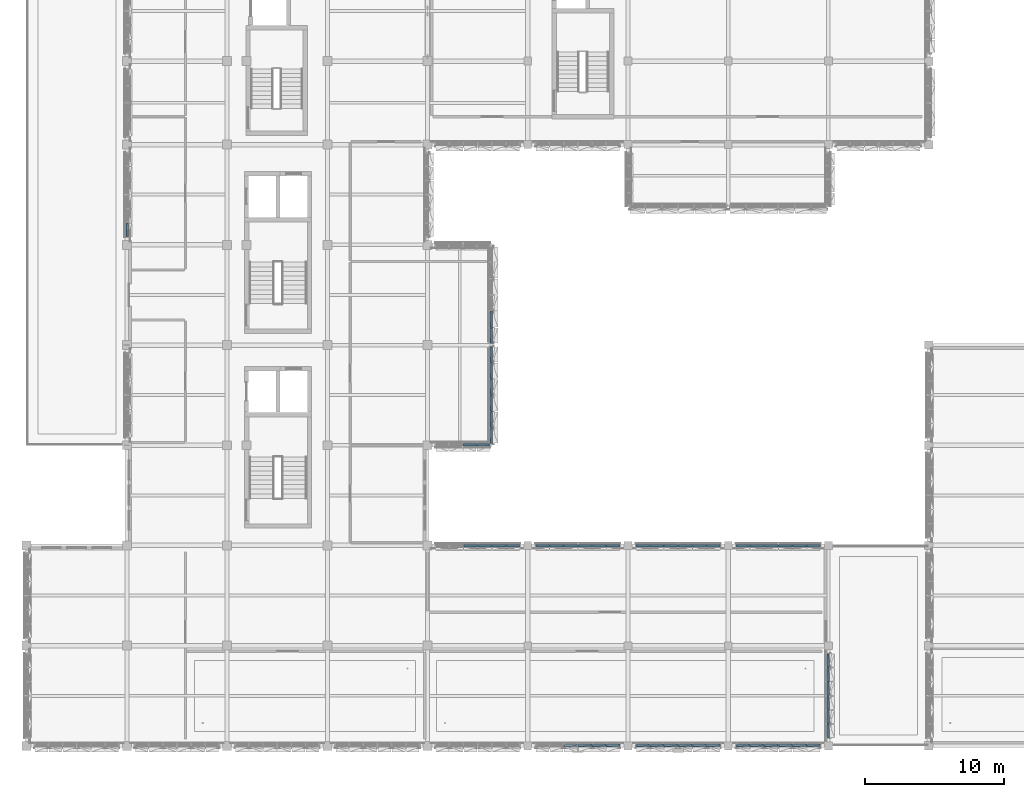
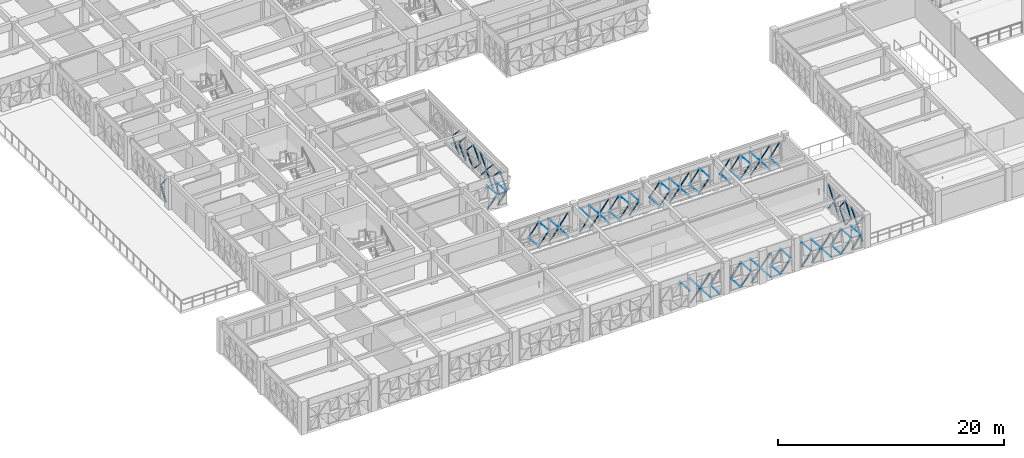
# One storey, part 51 of 85: 109 discrete accessories.
"""IFC4 building model written with IfcOpenShell, lengths in metres."""

from ifc_helpers import new_model, si_unit, direction, frame, origin, origin_2d, place, context, subcontext, project, spatial, rectangle, extrude, material, type_object, element, save


model = new_model("IFC4")

# Units and contexts
model_context = context("Model", 3, precision=1e-05, world=origin(), true_north=direction((0.0, 1.0)))
body_context = subcontext(model_context, "Body", "Model", "MODEL_VIEW")
ifc_project = project(units=[si_unit("LENGTHUNIT", "METRE"), si_unit("AREAUNIT", "SQUARE_METRE"), si_unit("VOLUMEUNIT", "CUBIC_METRE"), si_unit("PLANEANGLEUNIT", "RADIAN"), si_unit("MASSUNIT", "GRAM", prefix="KILO")], contexts=[model_context])

# Site, building, storey
site_placement = place(None, origin())
site = spatial("IfcSite", under=ifc_project, at=site_placement, CompositionType="ELEMENT")
building_placement = place(site_placement, origin())
building = spatial("IfcBuilding", under=site, at=building_placement, Name="Alvorim Cloister Faculty of Sciences", CompositionType="ELEMENT")
storey_placement = place(building_placement, frame((0.0, 0.0, 8.550048828125)))
storey = spatial("IfcBuildingStorey", under=building, at=storey_placement, Name="L02", CompositionType="ELEMENT", Elevation=8.550048828125)

# Discrete accessories
ifc_material = material(Name="Aluminium Alloy 6063-T6", Category="aluminium")
discrete_accessory_type = type_object("IfcDiscreteAccessoryType", Name="ACC-DIAG-BAR", PredefinedType="BRACKET", material=ifc_material)
for number, where, z_axis, x_axis, name in (
    (1, (7.222412109375, 36.60498046875, 0.139892578125), (0.006560793558, 0.604713142785, 0.796416330151), (-0.999941150118, 0.010848792579, 0.0), "Diagonal Cassette Glazing Bracket ACC-00500"),
    (2, (7.222412109375, 36.60498046875, 2.7099609375), (0.006560793558, 0.604713142785, -0.796416330151), (-0.999941150118, 0.010848792579, 0.0), "Diagonal Cassette Glazing Bracket ACC-00501"),
):
    element("IfcDiscreteAccessory", number, at=place(storey_placement, frame(where, z_axis=z_axis, x_axis=x_axis)), inside=storey, type_object=discrete_accessory_type, Name=name, PredefinedType="BRACKET", context=body_context, shape_type="SweptSolid", body=[
        extrude(rectangle(XDim=0.139892578125, YDim=0.044921875, at=origin_2d()), origin(), (0.0, 0.0, 1.0), 1.525634765625),
    ])
for number, where, z_axis, x_axis, name in (
    (3, (33.37744140625, 28.945068359375, 0.139892578125), (-0.006158308683, 0.661792879469, 0.749661430193), (-0.999956706716, -0.009305089645, 0.0), "Diagonal Cassette Glazing Bracket ACC-00740"),
    (4, (33.37744140625, 28.945068359375, 2.717041015625), (-0.006158308683, 0.661792879469, -0.749661430193), (-0.999956706716, -0.009305089645, 0.0), "Diagonal Cassette Glazing Bracket ACC-00741"),
):
    element("IfcDiscreteAccessory", number, at=place(storey_placement, frame(where, z_axis=z_axis, x_axis=x_axis)), inside=storey, type_object=discrete_accessory_type, Name=name, PredefinedType="BRACKET", context=body_context, shape_type="SweptSolid", body=[
        extrude(rectangle(XDim=0.139892578125, YDim=0.044921875, at=origin_2d()), origin(), (0.0, 0.0, 1.0), 1.62548828125),
    ])
for number, where, z_axis, x_axis, name in (
    (5, (33.37744140625, 30.0859375, 0.139892578125), (-0.006077290604, 0.67280053784, 0.739798961084), (-0.999959206518, -0.009032458133, 0.0), "Diagonal Cassette Glazing Bracket ACC-00742"),
    (6, (33.37744140625, 30.0859375, 2.717041015625), (-0.006077290604, 0.67280053784, -0.739798961084), (-0.999959206518, -0.009032458133, 0.0), "Diagonal Cassette Glazing Bracket ACC-00743"),
):
    element("IfcDiscreteAccessory", number, at=place(storey_placement, frame(where, z_axis=z_axis, x_axis=x_axis)), inside=storey, type_object=discrete_accessory_type, Name=name, PredefinedType="BRACKET", context=body_context, shape_type="SweptSolid", body=[
        extrude(rectangle(XDim=0.139892578125, YDim=0.044921875, at=origin_2d()), origin(), (0.0, 0.0, 1.0), 1.64697265625),
    ])
for number, where, z_axis, x_axis, name in (
    (7, (33.37744140625, 21.7451171875, 1.3583984375), (-0.006158308683, 0.661792879469, -0.749661430193), (-0.999956706716, -0.009305089645, 0.0), "Diagonal Cassette Glazing Bracket ACC-00753"),
    (8, (33.37744140625, 21.7451171875, 1.49853515625), (-0.006158308683, 0.661792879469, 0.749661430193), (-0.999956706716, -0.009305089645, 0.0), "Diagonal Cassette Glazing Bracket ACC-00754"),
):
    element("IfcDiscreteAccessory", number, at=place(storey_placement, frame(where, z_axis=z_axis, x_axis=x_axis)), inside=storey, type_object=discrete_accessory_type, Name=name, PredefinedType="BRACKET", context=body_context, shape_type="SweptSolid", body=[
        extrude(rectangle(XDim=0.139892578125, YDim=0.044921875, at=origin_2d()), origin(), (0.0, 0.0, 1.0), 1.62548828125),
    ])
for number, where, z_axis, x_axis, name in (
    (9, (33.37744140625, 22.8857421875, 0.139892578125), (-0.006076684558, 0.672881655969, 0.73972518611), (-0.999959224486, -0.009030468767, 0.0), "Diagonal Cassette Glazing Bracket ACC-00755"),
    (10, (33.37744140625, 22.8857421875, 2.717041015625), (-0.006076684558, 0.672881655969, -0.73972518611), (-0.999959224486, -0.009030468767, 0.0), "Diagonal Cassette Glazing Bracket ACC-00756"),
    (11, (33.37744140625, 24.05908203125, 0.139892578125), (-0.006076684558, 0.672881655969, 0.73972518611), (-0.999959224486, -0.009030468767, 0.0), "Diagonal Cassette Glazing Bracket ACC-00757"),
    (12, (33.37744140625, 24.05908203125, 2.717041015625), (-0.006076684558, 0.672881655969, -0.73972518611), (-0.999959224486, -0.009030468767, 0.0), "Diagonal Cassette Glazing Bracket ACC-00758"),
    (13, (33.37744140625, 25.232421875, 1.3583984375), (-0.006076684558, 0.672881655969, -0.73972518611), (-0.999959224486, -0.009030468767, 0.0), "Diagonal Cassette Glazing Bracket ACC-00759"),
    (14, (33.37744140625, 25.232421875, 1.49853515625), (-0.006076684558, 0.672881655969, 0.73972518611), (-0.999959224486, -0.009030468767, 0.0), "Diagonal Cassette Glazing Bracket ACC-00760"),
    (15, (33.37744140625, 26.40576171875, 1.3583984375), (-0.006076684558, 0.672881655969, -0.73972518611), (-0.999959224486, -0.009030468767, 0.0), "Diagonal Cassette Glazing Bracket ACC-00761"),
    (16, (33.37744140625, 26.40576171875, 1.49853515625), (-0.006076684558, 0.672881655969, 0.73972518611), (-0.999959224486, -0.009030468767, 0.0), "Diagonal Cassette Glazing Bracket ACC-00762"),
):
    element("IfcDiscreteAccessory", number, at=place(storey_placement, frame(where, z_axis=z_axis, x_axis=x_axis)), inside=storey, type_object=discrete_accessory_type, Name=name, PredefinedType="BRACKET", context=body_context, shape_type="SweptSolid", body=[
        extrude(rectangle(XDim=0.139892578125, YDim=0.044921875, at=origin_2d()), origin(), (0.0, 0.0, 1.0), 1.647216796875),
    ])
for number, where, z_axis, x_axis, name in (
    (17, (33.37744140625, 27.5791015625, 0.139892578125), (-0.00615769655, 0.661877285306, 0.749586914219), (-0.99995672636, -0.009302978394, 0.0), "Diagonal Cassette Glazing Bracket ACC-00763"),
    (18, (33.37744140625, 27.5791015625, 2.717041015625), (-0.00615769655, 0.661877285306, -0.749586914219), (-0.99995672636, -0.009302978394, 0.0), "Diagonal Cassette Glazing Bracket ACC-00764"),
):
    element("IfcDiscreteAccessory", number, at=place(storey_placement, frame(where, z_axis=z_axis, x_axis=x_axis)), inside=storey, type_object=discrete_accessory_type, Name=name, PredefinedType="BRACKET", context=body_context, shape_type="SweptSolid", body=[
        extrude(rectangle(XDim=0.139892578125, YDim=0.044921875, at=origin_2d()), origin(), (0.0, 0.0, 1.0), 1.62548828125),
    ])
for number, where, z_axis, x_axis, name in (
    (19, (31.362548828125, 21.62255859375, 0.139892578125), (0.631064458964, 0.006792765245, 0.775700655519), (-0.010763356526, 0.9999420734, 0.0), "Diagonal Cassette Glazing Bracket ACC-00770"),
    (20, (31.362548828125, 21.62255859375, 2.56591796875), (0.631064458964, 0.006792765245, -0.775700655519), (-0.010763356526, 0.9999420734, 0.0), "Diagonal Cassette Glazing Bracket ACC-00771"),
):
    element("IfcDiscreteAccessory", number, at=place(storey_placement, frame(where, z_axis=z_axis, x_axis=x_axis)), inside=storey, type_object=discrete_accessory_type, Name=name, PredefinedType="BRACKET", context=body_context, shape_type="SweptSolid", body=[
        extrude(rectangle(XDim=0.139892578125, YDim=0.044921875, at=origin_2d()), origin(), (0.0, 0.0, 1.0), 1.4736328125),
    ])
for number, where, z_axis, x_axis, name in (
    (21, (32.357421875, 21.62255859375, 0.139892578125), (0.617524934404, 0.006887519671, 0.78652114877), (-0.011152733966, 0.999937806329, 0.0), "Diagonal Cassette Glazing Bracket ACC-00772"),
    (22, (32.357421875, 21.62255859375, 2.56591796875), (0.617524934404, 0.006887519671, -0.78652114877), (-0.011152733966, 0.999937806329, 0.0), "Diagonal Cassette Glazing Bracket ACC-00773"),
):
    element("IfcDiscreteAccessory", number, at=place(storey_placement, frame(where, z_axis=z_axis, x_axis=x_axis)), inside=storey, type_object=discrete_accessory_type, Name=name, PredefinedType="BRACKET", context=body_context, shape_type="SweptSolid", body=[
        extrude(rectangle(XDim=0.139892578125, YDim=0.044921875, at=origin_2d()), origin(), (0.0, 0.0, 1.0), 1.453369140625),
    ])
for number, where, z_axis, x_axis, name in (
    (23, (31.41259765625, 14.37744140625, 1.35498046875), (0.61785742976, -0.006477155362, -0.786263469168), (0.010482676365, 0.999945055239, 0.0), "Diagonal Cassette Glazing Bracket ACC-00779"),
    (24, (31.41259765625, 14.37744140625, 1.494873046875), (0.61785742976, -0.006477155362, 0.786263469168), (0.010482676365, 0.999945055239, 0.0), "Diagonal Cassette Glazing Bracket ACC-00780"),
    (25, (32.4326171875, 14.37744140625, 0.139892578125), (0.61785742976, -0.006477155362, 0.786263469168), (0.010482676365, 0.999945055239, 0.0), "Diagonal Cassette Glazing Bracket ACC-00781"),
    (26, (32.4326171875, 14.37744140625, 2.7099609375), (0.61785742976, -0.006477155362, -0.786263469168), (0.010482676365, 0.999945055239, 0.0), "Diagonal Cassette Glazing Bracket ACC-00782"),
):
    element("IfcDiscreteAccessory", number, at=place(storey_placement, frame(where, z_axis=z_axis, x_axis=x_axis)), inside=storey, type_object=discrete_accessory_type, Name=name, PredefinedType="BRACKET", context=body_context, shape_type="SweptSolid", body=[
        extrude(rectangle(XDim=0.139892578125, YDim=0.044921875, at=origin_2d()), origin(), (0.0, 0.0, 1.0), 1.54541015625),
    ])
for number, where, z_axis, x_axis, name in (
    (27, (33.452392578125, 14.37744140625, 0.139892578125), (0.617955086572, -0.006476523147, 0.786186724404), (0.010479997039, 0.999945083323, 0.0), "Diagonal Cassette Glazing Bracket ACC-00783"),
    (28, (33.452392578125, 14.37744140625, 2.7099609375), (0.617955086572, -0.006476523147, -0.786186724404), (0.010479997039, 0.999945083323, 0.0), "Diagonal Cassette Glazing Bracket ACC-00784"),
):
    element("IfcDiscreteAccessory", number, at=place(storey_placement, frame(where, z_axis=z_axis, x_axis=x_axis)), inside=storey, type_object=discrete_accessory_type, Name=name, PredefinedType="BRACKET", context=body_context, shape_type="SweptSolid", body=[
        extrude(rectangle(XDim=0.139892578125, YDim=0.044921875, at=origin_2d()), origin(), (0.0, 0.0, 1.0), 1.545654296875),
    ])
for number, where, z_axis, x_axis, name in (
    (29, (34.472412109375, 14.37744140625, 1.35498046875), (0.604713142785, -0.006560793558, -0.796416330151), (0.010848792579, 0.999941150118, 0.0), "Diagonal Cassette Glazing Bracket ACC-00785"),
    (30, (34.472412109375, 14.37744140625, 1.494873046875), (0.604713142785, -0.006560793558, 0.796416330151), (0.010848792579, 0.999941150118, 0.0), "Diagonal Cassette Glazing Bracket ACC-00786"),
    (31, (36.60498046875, 14.37744140625, 0.139892578125), (0.604713142785, -0.006560793558, 0.796416330151), (0.010848792579, 0.999941150118, 0.0), "Diagonal Cassette Glazing Bracket ACC-00788"),
    (32, (36.60498046875, 14.37744140625, 2.7099609375), (0.604713142785, -0.006560793558, -0.796416330151), (0.010848792579, 0.999941150118, 0.0), "Diagonal Cassette Glazing Bracket ACC-00789"),
):
    element("IfcDiscreteAccessory", number, at=place(storey_placement, frame(where, z_axis=z_axis, x_axis=x_axis)), inside=storey, type_object=discrete_accessory_type, Name=name, PredefinedType="BRACKET", context=body_context, shape_type="SweptSolid", body=[
        extrude(rectangle(XDim=0.139892578125, YDim=0.044921875, at=origin_2d()), origin(), (0.0, 0.0, 1.0), 1.525634765625),
    ])
for number, where, z_axis, x_axis, name in (
    (33, (37.592529296875, 14.37744140625, 0.139892578125), (0.617955086572, -0.006476523147, 0.786186724404), (0.010479997039, 0.999945083323, 0.0), "Diagonal Cassette Glazing Bracket ACC-00790"),
    (34, (37.592529296875, 14.37744140625, 2.7099609375), (0.617955086572, -0.006476523147, -0.786186724404), (0.010479997039, 0.999945083323, 0.0), "Diagonal Cassette Glazing Bracket ACC-00791"),
):
    element("IfcDiscreteAccessory", number, at=place(storey_placement, frame(where, z_axis=z_axis, x_axis=x_axis)), inside=storey, type_object=discrete_accessory_type, Name=name, PredefinedType="BRACKET", context=body_context, shape_type="SweptSolid", body=[
        extrude(rectangle(XDim=0.139892578125, YDim=0.044921875, at=origin_2d()), origin(), (0.0, 0.0, 1.0), 1.545654296875),
    ])
for number, where, z_axis, x_axis, name in (
    (35, (38.612548828125, 14.37744140625, 1.35498046875), (0.61785742976, -0.006477155362, -0.786263469168), (0.010482676365, 0.999945055239, 0.0), "Diagonal Cassette Glazing Bracket ACC-00792"),
    (36, (38.612548828125, 14.37744140625, 1.494873046875), (0.61785742976, -0.006477155362, 0.786263469168), (0.010482676365, 0.999945055239, 0.0), "Diagonal Cassette Glazing Bracket ACC-00793"),
    (37, (39.632568359375, 14.37744140625, 1.35498046875), (0.61785742976, -0.006477155362, -0.786263469168), (0.010482676365, 0.999945055239, 0.0), "Diagonal Cassette Glazing Bracket ACC-00794"),
    (38, (39.632568359375, 14.37744140625, 1.494873046875), (0.61785742976, -0.006477155362, 0.786263469168), (0.010482676365, 0.999945055239, 0.0), "Diagonal Cassette Glazing Bracket ACC-00795"),
    (39, (40.652587890625, 14.37744140625, 0.139892578125), (0.61785742976, -0.006477155362, 0.786263469168), (0.010482676365, 0.999945055239, 0.0), "Diagonal Cassette Glazing Bracket ACC-00796"),
    (40, (40.652587890625, 14.37744140625, 2.7099609375), (0.61785742976, -0.006477155362, -0.786263469168), (0.010482676365, 0.999945055239, 0.0), "Diagonal Cassette Glazing Bracket ACC-00797"),
):
    element("IfcDiscreteAccessory", number, at=place(storey_placement, frame(where, z_axis=z_axis, x_axis=x_axis)), inside=storey, type_object=discrete_accessory_type, Name=name, PredefinedType="BRACKET", context=body_context, shape_type="SweptSolid", body=[
        extrude(rectangle(XDim=0.139892578125, YDim=0.044921875, at=origin_2d()), origin(), (0.0, 0.0, 1.0), 1.54541015625),
    ])
for number, where, z_axis, x_axis, name in (
    (41, (41.672607421875, 14.37744140625, 0.139892578125), (0.604611624251, -0.006561428426, 0.796493397008), (0.010851663811, 0.999941118963, 0.0), "Diagonal Cassette Glazing Bracket ACC-00798"),
    (42, (41.672607421875, 14.37744140625, 2.7099609375), (0.604611624251, -0.006561428426, -0.796493397008), (0.010851663811, 0.999941118963, 0.0), "Diagonal Cassette Glazing Bracket ACC-00799"),
    (43, (43.804931640625, 14.37744140625, 1.35498046875), (0.604713142785, -0.006560793558, -0.796416330151), (0.010848792579, 0.999941150118, 0.0), "Diagonal Cassette Glazing Bracket ACC-00801"),
    (44, (43.804931640625, 14.37744140625, 1.494873046875), (0.604713142785, -0.006560793558, 0.796416330151), (0.010848792579, 0.999941150118, 0.0), "Diagonal Cassette Glazing Bracket ACC-00802"),
):
    element("IfcDiscreteAccessory", number, at=place(storey_placement, frame(where, z_axis=z_axis, x_axis=x_axis)), inside=storey, type_object=discrete_accessory_type, Name=name, PredefinedType="BRACKET", context=body_context, shape_type="SweptSolid", body=[
        extrude(rectangle(XDim=0.139892578125, YDim=0.044921875, at=origin_2d()), origin(), (0.0, 0.0, 1.0), 1.525634765625),
    ])
for number, where, z_axis, x_axis, name in (
    (45, (44.79248046875, 14.37744140625, 0.139892578125), (0.617955086572, -0.006476523147, 0.786186724404), (0.010479997039, 0.999945083323, 0.0), "Diagonal Cassette Glazing Bracket ACC-00803"),
    (46, (44.79248046875, 14.37744140625, 2.7099609375), (0.617955086572, -0.006476523147, -0.786186724404), (0.010479997039, 0.999945083323, 0.0), "Diagonal Cassette Glazing Bracket ACC-00804"),
    (47, (45.8125, 14.37744140625, 0.139892578125), (0.617955086572, -0.006476523147, 0.786186724404), (0.010479997039, 0.999945083323, 0.0), "Diagonal Cassette Glazing Bracket ACC-00805"),
    (48, (45.8125, 14.37744140625, 2.7099609375), (0.617955086572, -0.006476523147, -0.786186724404), (0.010479997039, 0.999945083323, 0.0), "Diagonal Cassette Glazing Bracket ACC-00806"),
    (49, (46.83251953125, 14.37744140625, 1.35498046875), (0.617955086572, -0.006476523147, -0.786186724404), (0.010479997039, 0.999945083323, 0.0), "Diagonal Cassette Glazing Bracket ACC-00807"),
    (50, (46.83251953125, 14.37744140625, 1.494873046875), (0.617955086572, -0.006476523147, 0.786186724404), (0.010479997039, 0.999945083323, 0.0), "Diagonal Cassette Glazing Bracket ACC-00808"),
    (51, (47.8525390625, 14.37744140625, 1.35498046875), (0.617955086572, -0.006476523147, -0.786186724404), (0.010479997039, 0.999945083323, 0.0), "Diagonal Cassette Glazing Bracket ACC-00809"),
    (52, (47.8525390625, 14.37744140625, 1.494873046875), (0.617955086572, -0.006476523147, 0.786186724404), (0.010479997039, 0.999945083323, 0.0), "Diagonal Cassette Glazing Bracket ACC-00810"),
):
    element("IfcDiscreteAccessory", number, at=place(storey_placement, frame(where, z_axis=z_axis, x_axis=x_axis)), inside=storey, type_object=discrete_accessory_type, Name=name, PredefinedType="BRACKET", context=body_context, shape_type="SweptSolid", body=[
        extrude(rectangle(XDim=0.139892578125, YDim=0.044921875, at=origin_2d()), origin(), (0.0, 0.0, 1.0), 1.545654296875),
    ])
for number, where, z_axis, x_axis, name in (
    (53, (48.87255859375, 14.37744140625, 0.139892578125), (0.604611624251, -0.006561428426, 0.796493397008), (0.010851663811, 0.999941118963, 0.0), "Diagonal Cassette Glazing Bracket ACC-00811"),
    (54, (48.87255859375, 14.37744140625, 2.7099609375), (0.604611624251, -0.006561428426, -0.796493397008), (0.010851663811, 0.999941118963, 0.0), "Diagonal Cassette Glazing Bracket ACC-00812"),
    (55, (51.0048828125, 14.37744140625, 1.35498046875), (0.604713142785, -0.006560793558, -0.796416330151), (0.010848792579, 0.999941150118, 0.0), "Diagonal Cassette Glazing Bracket ACC-00814"),
    (56, (51.0048828125, 14.37744140625, 1.494873046875), (0.604713142785, -0.006560793558, 0.796416330151), (0.010848792579, 0.999941150118, 0.0), "Diagonal Cassette Glazing Bracket ACC-00815"),
):
    element("IfcDiscreteAccessory", number, at=place(storey_placement, frame(where, z_axis=z_axis, x_axis=x_axis)), inside=storey, type_object=discrete_accessory_type, Name=name, PredefinedType="BRACKET", context=body_context, shape_type="SweptSolid", body=[
        extrude(rectangle(XDim=0.139892578125, YDim=0.044921875, at=origin_2d()), origin(), (0.0, 0.0, 1.0), 1.525634765625),
    ])
for number, where, z_axis, x_axis, name in (
    (57, (51.992431640625, 14.37744140625, 1.35498046875), (0.617955086572, -0.006476523147, -0.786186724404), (0.010479997039, 0.999945083323, 0.0), "Diagonal Cassette Glazing Bracket ACC-00816"),
    (58, (51.992431640625, 14.37744140625, 1.494873046875), (0.617955086572, -0.006476523147, 0.786186724404), (0.010479997039, 0.999945083323, 0.0), "Diagonal Cassette Glazing Bracket ACC-00817"),
    (59, (53.012451171875, 14.37744140625, 0.139892578125), (0.617955086572, -0.006476523147, 0.786186724404), (0.010479997039, 0.999945083323, 0.0), "Diagonal Cassette Glazing Bracket ACC-00818"),
    (60, (53.012451171875, 14.37744140625, 2.7099609375), (0.617955086572, -0.006476523147, -0.786186724404), (0.010479997039, 0.999945083323, 0.0), "Diagonal Cassette Glazing Bracket ACC-00819"),
    (61, (54.032470703125, 14.37744140625, 0.139892578125), (0.617955086572, -0.006476523147, 0.786186724404), (0.010479997039, 0.999945083323, 0.0), "Diagonal Cassette Glazing Bracket ACC-00820"),
    (62, (54.032470703125, 14.37744140625, 2.7099609375), (0.617955086572, -0.006476523147, -0.786186724404), (0.010479997039, 0.999945083323, 0.0), "Diagonal Cassette Glazing Bracket ACC-00821"),
    (63, (55.052490234375, 14.37744140625, 1.35498046875), (0.617955086572, -0.006476523147, -0.786186724404), (0.010479997039, 0.999945083323, 0.0), "Diagonal Cassette Glazing Bracket ACC-00822"),
    (64, (55.052490234375, 14.37744140625, 1.494873046875), (0.617955086572, -0.006476523147, 0.786186724404), (0.010479997039, 0.999945083323, 0.0), "Diagonal Cassette Glazing Bracket ACC-00823"),
):
    element("IfcDiscreteAccessory", number, at=place(storey_placement, frame(where, z_axis=z_axis, x_axis=x_axis)), inside=storey, type_object=discrete_accessory_type, Name=name, PredefinedType="BRACKET", context=body_context, shape_type="SweptSolid", body=[
        extrude(rectangle(XDim=0.139892578125, YDim=0.044921875, at=origin_2d()), origin(), (0.0, 0.0, 1.0), 1.545654296875),
    ])
for number, where, z_axis, x_axis, name in (
    (65, (56.072509765625, 14.37744140625, 1.35498046875), (0.604713142785, -0.006560793558, -0.796416330151), (0.010848792579, 0.999941150118, 0.0), "Diagonal Cassette Glazing Bracket ACC-00824"),
    (66, (56.072509765625, 14.37744140625, 1.494873046875), (0.604713142785, -0.006560793558, 0.796416330151), (0.010848792579, 0.999941150118, 0.0), "Diagonal Cassette Glazing Bracket ACC-00825"),
    (67, (57.577392578125, 0.60498046875, 0.139892578125), (-0.006560793558, 0.604713142785, 0.796416330151), (-0.999941150118, -0.010848792579, 0.0), "Diagonal Cassette Glazing Bracket ACC-00827"),
    (68, (57.577392578125, 0.60498046875, 2.7099609375), (-0.006560793558, 0.604713142785, -0.796416330151), (-0.999941150118, -0.010848792579, 0.0), "Diagonal Cassette Glazing Bracket ACC-00828"),
):
    element("IfcDiscreteAccessory", number, at=place(storey_placement, frame(where, z_axis=z_axis, x_axis=x_axis)), inside=storey, type_object=discrete_accessory_type, Name=name, PredefinedType="BRACKET", context=body_context, shape_type="SweptSolid", body=[
        extrude(rectangle(XDim=0.139892578125, YDim=0.044921875, at=origin_2d()), origin(), (0.0, 0.0, 1.0), 1.525634765625),
    ])
for number, where, z_axis, x_axis, name in (
    (69, (57.577392578125, 1.592529296875, 1.35498046875), (-0.006476523147, 0.617955086572, -0.786186724404), (-0.999945083323, -0.010479997039, 0.0), "Diagonal Cassette Glazing Bracket ACC-00829"),
    (70, (57.577392578125, 1.592529296875, 1.494873046875), (-0.006476523147, 0.617955086572, 0.786186724404), (-0.999945083323, -0.010479997039, 0.0), "Diagonal Cassette Glazing Bracket ACC-00830"),
):
    element("IfcDiscreteAccessory", number, at=place(storey_placement, frame(where, z_axis=z_axis, x_axis=x_axis)), inside=storey, type_object=discrete_accessory_type, Name=name, PredefinedType="BRACKET", context=body_context, shape_type="SweptSolid", body=[
        extrude(rectangle(XDim=0.139892578125, YDim=0.044921875, at=origin_2d()), origin(), (0.0, 0.0, 1.0), 1.545654296875),
    ])
for number, where, z_axis, x_axis, name in (
    (71, (57.577392578125, 2.612548828125, 1.35498046875), (-0.006477155362, 0.61785742976, -0.786263469168), (-0.999945055239, -0.010482676365, 0.0), "Diagonal Cassette Glazing Bracket ACC-00831"),
    (72, (57.577392578125, 2.612548828125, 1.494873046875), (-0.006477155362, 0.61785742976, 0.786263469168), (-0.999945055239, -0.010482676365, 0.0), "Diagonal Cassette Glazing Bracket ACC-00832"),
    (73, (57.577392578125, 3.632568359375, 0.139892578125), (-0.006477155362, 0.61785742976, 0.786263469168), (-0.999945055239, -0.010482676365, 0.0), "Diagonal Cassette Glazing Bracket ACC-00833"),
    (74, (57.577392578125, 3.632568359375, 2.7099609375), (-0.006477155362, 0.61785742976, -0.786263469168), (-0.999945055239, -0.010482676365, 0.0), "Diagonal Cassette Glazing Bracket ACC-00834"),
    (75, (57.577392578125, 4.652587890625, 0.139892578125), (-0.006477155362, 0.61785742976, 0.786263469168), (-0.999945055239, -0.010482676365, 0.0), "Diagonal Cassette Glazing Bracket ACC-00835"),
    (76, (57.577392578125, 4.652587890625, 2.7099609375), (-0.006477155362, 0.61785742976, -0.786263469168), (-0.999945055239, -0.010482676365, 0.0), "Diagonal Cassette Glazing Bracket ACC-00836"),
):
    element("IfcDiscreteAccessory", number, at=place(storey_placement, frame(where, z_axis=z_axis, x_axis=x_axis)), inside=storey, type_object=discrete_accessory_type, Name=name, PredefinedType="BRACKET", context=body_context, shape_type="SweptSolid", body=[
        extrude(rectangle(XDim=0.139892578125, YDim=0.044921875, at=origin_2d()), origin(), (0.0, 0.0, 1.0), 1.54541015625),
    ])
for number, where, z_axis, x_axis, name in (
    (77, (57.577392578125, 5.672607421875, 1.35498046875), (-0.006561428426, 0.604611624251, -0.796493397008), (-0.999941118963, -0.010851663811, 0.0), "Diagonal Cassette Glazing Bracket ACC-00837"),
    (78, (57.577392578125, 5.672607421875, 1.494873046875), (-0.006561428426, 0.604611624251, 0.796493397008), (-0.999941118963, -0.010851663811, 0.0), "Diagonal Cassette Glazing Bracket ACC-00838"),
    (79, (51.0048828125, 0.0224609375, 0.139892578125), (0.604713142785, 0.006560793558, 0.796416330151), (-0.010848792579, 0.999941150118, 0.0), "Diagonal Cassette Glazing Bracket ACC-00840"),
    (80, (51.0048828125, 0.0224609375, 2.7099609375), (0.604713142785, 0.006560793558, -0.796416330151), (-0.010848792579, 0.999941150118, 0.0), "Diagonal Cassette Glazing Bracket ACC-00841"),
):
    element("IfcDiscreteAccessory", number, at=place(storey_placement, frame(where, z_axis=z_axis, x_axis=x_axis)), inside=storey, type_object=discrete_accessory_type, Name=name, PredefinedType="BRACKET", context=body_context, shape_type="SweptSolid", body=[
        extrude(rectangle(XDim=0.139892578125, YDim=0.044921875, at=origin_2d()), origin(), (0.0, 0.0, 1.0), 1.525634765625),
    ])
for number, where, z_axis, x_axis, name in (
    (81, (51.992431640625, 0.0224609375, 0.139892578125), (0.617955086572, 0.006476523147, 0.786186724404), (-0.010479997039, 0.999945083323, 0.0), "Diagonal Cassette Glazing Bracket ACC-00842"),
    (82, (51.992431640625, 0.0224609375, 2.7099609375), (0.617955086572, 0.006476523147, -0.786186724404), (-0.010479997039, 0.999945083323, 0.0), "Diagonal Cassette Glazing Bracket ACC-00843"),
    (83, (53.012451171875, 0.0224609375, 1.35498046875), (0.617955086572, 0.006476523147, -0.786186724404), (-0.010479997039, 0.999945083323, 0.0), "Diagonal Cassette Glazing Bracket ACC-00844"),
    (84, (53.012451171875, 0.0224609375, 1.494873046875), (0.617955086572, 0.006476523147, 0.786186724404), (-0.010479997039, 0.999945083323, 0.0), "Diagonal Cassette Glazing Bracket ACC-00845"),
    (85, (54.032470703125, 0.0224609375, 1.35498046875), (0.617955086572, 0.006476523147, -0.786186724404), (-0.010479997039, 0.999945083323, 0.0), "Diagonal Cassette Glazing Bracket ACC-00846"),
    (86, (54.032470703125, 0.0224609375, 1.494873046875), (0.617955086572, 0.006476523147, 0.786186724404), (-0.010479997039, 0.999945083323, 0.0), "Diagonal Cassette Glazing Bracket ACC-00847"),
    (87, (55.052490234375, 0.0224609375, 0.139892578125), (0.617955086572, 0.006476523147, 0.786186724404), (-0.010479997039, 0.999945083323, 0.0), "Diagonal Cassette Glazing Bracket ACC-00848"),
    (88, (55.052490234375, 0.0224609375, 2.7099609375), (0.617955086572, 0.006476523147, -0.786186724404), (-0.010479997039, 0.999945083323, 0.0), "Diagonal Cassette Glazing Bracket ACC-00849"),
):
    element("IfcDiscreteAccessory", number, at=place(storey_placement, frame(where, z_axis=z_axis, x_axis=x_axis)), inside=storey, type_object=discrete_accessory_type, Name=name, PredefinedType="BRACKET", context=body_context, shape_type="SweptSolid", body=[
        extrude(rectangle(XDim=0.139892578125, YDim=0.044921875, at=origin_2d()), origin(), (0.0, 0.0, 1.0), 1.545654296875),
    ])
for number, where, z_axis, x_axis, name in (
    (89, (56.072509765625, 0.0224609375, 0.139892578125), (0.604713142785, 0.006560793558, 0.796416330151), (-0.010848792579, 0.999941150118, 0.0), "Diagonal Cassette Glazing Bracket ACC-00850"),
    (90, (56.072509765625, 0.0224609375, 2.7099609375), (0.604713142785, 0.006560793558, -0.796416330151), (-0.010848792579, 0.999941150118, 0.0), "Diagonal Cassette Glazing Bracket ACC-00851"),
    (91, (43.804931640625, 0.0224609375, 1.35498046875), (0.604713142785, 0.006560793558, -0.796416330151), (-0.010848792579, 0.999941150118, 0.0), "Diagonal Cassette Glazing Bracket ACC-00853"),
    (92, (43.804931640625, 0.0224609375, 1.494873046875), (0.604713142785, 0.006560793558, 0.796416330151), (-0.010848792579, 0.999941150118, 0.0), "Diagonal Cassette Glazing Bracket ACC-00854"),
):
    element("IfcDiscreteAccessory", number, at=place(storey_placement, frame(where, z_axis=z_axis, x_axis=x_axis)), inside=storey, type_object=discrete_accessory_type, Name=name, PredefinedType="BRACKET", context=body_context, shape_type="SweptSolid", body=[
        extrude(rectangle(XDim=0.139892578125, YDim=0.044921875, at=origin_2d()), origin(), (0.0, 0.0, 1.0), 1.525634765625),
    ])
for number, where, z_axis, x_axis, name in (
    (93, (44.79248046875, 0.0224609375, 0.139892578125), (0.617955086572, 0.006476523147, 0.786186724404), (-0.010479997039, 0.999945083323, 0.0), "Diagonal Cassette Glazing Bracket ACC-00855"),
    (94, (44.79248046875, 0.0224609375, 2.7099609375), (0.617955086572, 0.006476523147, -0.786186724404), (-0.010479997039, 0.999945083323, 0.0), "Diagonal Cassette Glazing Bracket ACC-00856"),
    (95, (45.8125, 0.0224609375, 0.139892578125), (0.617955086572, 0.006476523147, 0.786186724404), (-0.010479997039, 0.999945083323, 0.0), "Diagonal Cassette Glazing Bracket ACC-00857"),
    (96, (45.8125, 0.0224609375, 2.7099609375), (0.617955086572, 0.006476523147, -0.786186724404), (-0.010479997039, 0.999945083323, 0.0), "Diagonal Cassette Glazing Bracket ACC-00858"),
    (97, (46.83251953125, 0.0224609375, 1.35498046875), (0.617955086572, 0.006476523147, -0.786186724404), (-0.010479997039, 0.999945083323, 0.0), "Diagonal Cassette Glazing Bracket ACC-00859"),
    (98, (46.83251953125, 0.0224609375, 1.494873046875), (0.617955086572, 0.006476523147, 0.786186724404), (-0.010479997039, 0.999945083323, 0.0), "Diagonal Cassette Glazing Bracket ACC-00860"),
    (99, (47.8525390625, 0.0224609375, 1.35498046875), (0.617955086572, 0.006476523147, -0.786186724404), (-0.010479997039, 0.999945083323, 0.0), "Diagonal Cassette Glazing Bracket ACC-00861"),
    (100, (47.8525390625, 0.0224609375, 1.494873046875), (0.617955086572, 0.006476523147, 0.786186724404), (-0.010479997039, 0.999945083323, 0.0), "Diagonal Cassette Glazing Bracket ACC-00862"),
):
    element("IfcDiscreteAccessory", number, at=place(storey_placement, frame(where, z_axis=z_axis, x_axis=x_axis)), inside=storey, type_object=discrete_accessory_type, Name=name, PredefinedType="BRACKET", context=body_context, shape_type="SweptSolid", body=[
        extrude(rectangle(XDim=0.139892578125, YDim=0.044921875, at=origin_2d()), origin(), (0.0, 0.0, 1.0), 1.545654296875),
    ])
for number, where, z_axis, x_axis, name in (
    (101, (48.87255859375, 0.0224609375, 0.139892578125), (0.604611624251, 0.006561428426, 0.796493397008), (-0.010851663811, 0.999941118963, 0.0), "Diagonal Cassette Glazing Bracket ACC-00863"),
    (102, (48.87255859375, 0.0224609375, 2.7099609375), (0.604611624251, 0.006561428426, -0.796493397008), (-0.010851663811, 0.999941118963, 0.0), "Diagonal Cassette Glazing Bracket ACC-00864"),
):
    element("IfcDiscreteAccessory", number, at=place(storey_placement, frame(where, z_axis=z_axis, x_axis=x_axis)), inside=storey, type_object=discrete_accessory_type, Name=name, PredefinedType="BRACKET", context=body_context, shape_type="SweptSolid", body=[
        extrude(rectangle(XDim=0.139892578125, YDim=0.044921875, at=origin_2d()), origin(), (0.0, 0.0, 1.0), 1.525634765625),
    ])
for number, where, z_axis, x_axis, name in (
    (103, (38.612548828125, 0.0224609375, 2.7099609375), (0.61785742976, 0.006477155362, -0.786263469168), (-0.010482676365, 0.999945055239, 0.0), "Diagonal Cassette Glazing Bracket ACC-00871"),
    (104, (39.632568359375, 0.0224609375, 0.139892578125), (0.61785742976, 0.006477155362, 0.786263469168), (-0.010482676365, 0.999945055239, 0.0), "Diagonal Cassette Glazing Bracket ACC-00872"),
    (105, (39.632568359375, 0.0224609375, 2.7099609375), (0.61785742976, 0.006477155362, -0.786263469168), (-0.010482676365, 0.999945055239, 0.0), "Diagonal Cassette Glazing Bracket ACC-00873"),
    (106, (40.652587890625, 0.0224609375, 1.35498046875), (0.61785742976, 0.006477155362, -0.786263469168), (-0.010482676365, 0.999945055239, 0.0), "Diagonal Cassette Glazing Bracket ACC-00874"),
    (107, (40.652587890625, 0.0224609375, 1.494873046875), (0.61785742976, 0.006477155362, 0.786263469168), (-0.010482676365, 0.999945055239, 0.0), "Diagonal Cassette Glazing Bracket ACC-00875"),
):
    element("IfcDiscreteAccessory", number, at=place(storey_placement, frame(where, z_axis=z_axis, x_axis=x_axis)), inside=storey, type_object=discrete_accessory_type, Name=name, PredefinedType="BRACKET", context=body_context, shape_type="SweptSolid", body=[
        extrude(rectangle(XDim=0.139892578125, YDim=0.044921875, at=origin_2d()), origin(), (0.0, 0.0, 1.0), 1.54541015625),
    ])
for number, where, z_axis, x_axis, name in (
    (108, (41.672607421875, 0.0224609375, 1.35498046875), (0.604611624251, 0.006561428426, -0.796493397008), (-0.010851663811, 0.999941118963, 0.0), "Diagonal Cassette Glazing Bracket ACC-00876"),
    (109, (41.672607421875, 0.0224609375, 1.494873046875), (0.604611624251, 0.006561428426, 0.796493397008), (-0.010851663811, 0.999941118963, 0.0), "Diagonal Cassette Glazing Bracket ACC-00877"),
):
    element("IfcDiscreteAccessory", number, at=place(storey_placement, frame(where, z_axis=z_axis, x_axis=x_axis)), inside=storey, type_object=discrete_accessory_type, Name=name, PredefinedType="BRACKET", context=body_context, shape_type="SweptSolid", body=[
        extrude(rectangle(XDim=0.139892578125, YDim=0.044921875, at=origin_2d()), origin(), (0.0, 0.0, 1.0), 1.525634765625),
    ])

save(model, "model.ifc")
